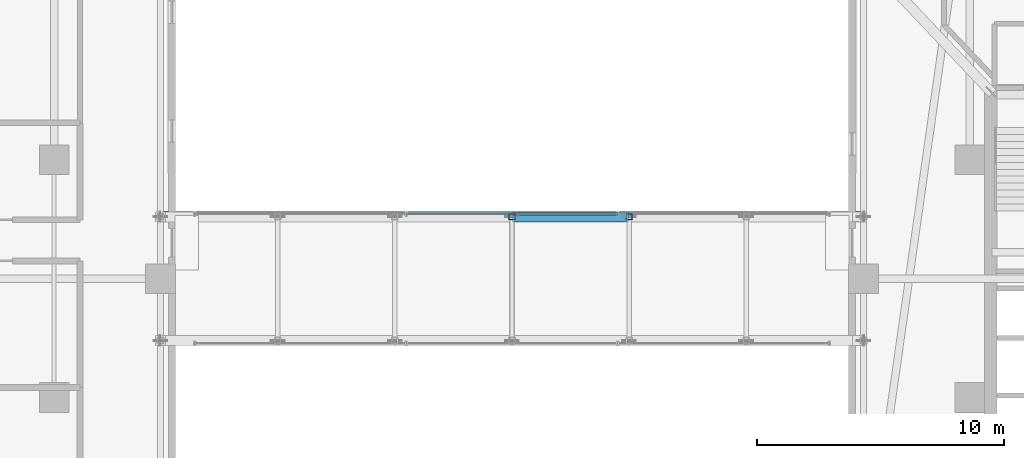
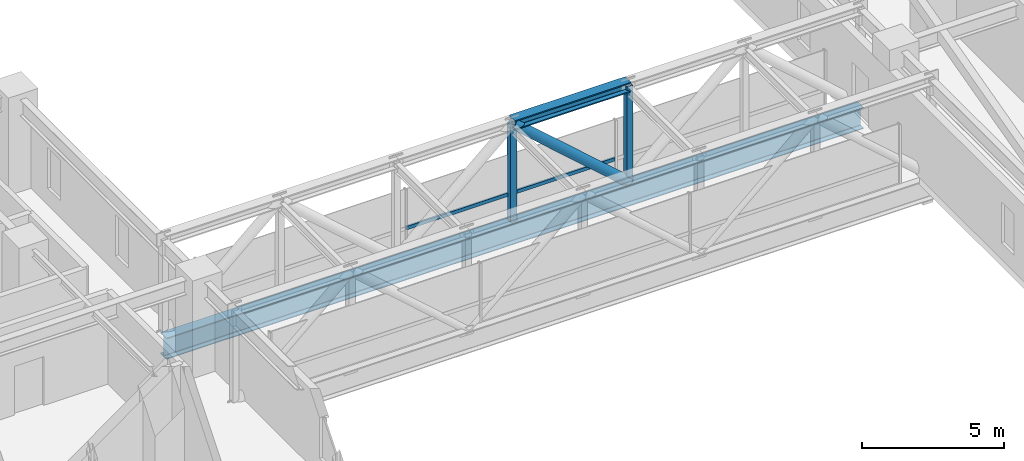
# One storey, part 11 of 45: 5 members, 1 beam, 1 element without a shape of its own.
"""IFC4 building model written with IfcOpenShell, lengths in metres."""

from ifc_helpers import new_model, si_unit, direction, frame, origin, origin_2d, place, context, subcontext, project, spatial, hollow_rectangle, hollow_circle, i_section, extrude, material, material_profile, profile_set, type_object, element, aggregate, save


model = new_model("IFC4")

# Units and contexts
model_context = context("Model", 3, precision=1e-05, world=origin(), true_north=direction((0.0, 1.0)))
body_context = subcontext(model_context, "Body", "Model", "MODEL_VIEW")
ifc_project = project(units=[si_unit("LENGTHUNIT", "METRE"), si_unit("AREAUNIT", "SQUARE_METRE"), si_unit("VOLUMEUNIT", "CUBIC_METRE"), si_unit("PLANEANGLEUNIT", "RADIAN"), si_unit("MASSUNIT", "GRAM", prefix="KILO")], contexts=[model_context])

# Site, building, storey
site_placement = place(None, origin())
site = spatial("IfcSite", under=ifc_project, at=site_placement, CompositionType="ELEMENT")
building_placement = place(site_placement, origin())
building = spatial("IfcBuilding", under=site, at=building_placement, Name="Thornwick Lancets Civic Towers", CompositionType="ELEMENT")
storey_placement = place(building_placement, frame((0.0, 0.0, 141.300048828125)))
storey = spatial("IfcBuildingStorey", under=building, at=storey_placement, Name="L37", CompositionType="ELEMENT", Elevation=141.300048828125)

# Beam
ifc_material_1 = material(Name="Steel S460M", Category="steel")
ifc_material_profile_1 = material_profile(ifc_material_1, i_section(OverallWidth=0.42041015625, OverallDepth=0.9208984375, WebThickness=0.021484375, FlangeThickness=0.03662109375, FilletRadius=0.024169921875, at=origin_2d()), Name="UKB 914x419x388")
ifc_profile_set_1 = profile_set([ifc_material_profile_1], Name="Steel S460M")
beam_type = type_object("IfcBeamType", Name="BM_TR_914_388", PredefinedType="BEAM", material=ifc_profile_set_1)
beam_placement = place(storey_placement, frame((42.800048828125, 29.5, -0.6806640625), z_axis=(1.0, 0.0, 0.0), x_axis=(0.0, 1.0, 0.0)))
element("IfcBeam", 1, at=beam_placement, inside=storey, type_object=beam_type, Name="BM-L37-SB-MAIN-2", PredefinedType="BEAM", context=body_context, shape_type="SweptSolid", body=[
    extrude(i_section(OverallWidth=0.42041015625, OverallDepth=0.9208984375, WebThickness=0.021484375, FlangeThickness=0.03662109375, FilletRadius=0.024169921875, at=origin_2d()), origin(), (0.0, 0.0, 1.0), 28.39990234375),
])

# Curtain wall, member
ifc_material_2 = material(Name="Skybridge acoustic laminated-glass curtain wall", Category="glass")
curtain_wall_type = type_object("IfcCurtainWallType", Name="CW_SYS_06", PredefinedType="NOTDEFINED", material=ifc_material_2)
curtain_wall_placement = place(storey_placement, origin())
curtain_wall = element("IfcCurtainWall", 2, at=curtain_wall_placement, inside=storey, type_object=curtain_wall_type, Name="L37 Curtain Wall CW-L37-SKYBRIDGE-N", PredefinedType="NOTDEFINED")
ifc_material_3 = material(Name="Thermally broken bronze aluminium S355", Category="steel")
ifc_material_profile_2 = material_profile(ifc_material_3, hollow_rectangle(XDim=0.074951171875, YDim=0.14990234375, WallThickness=0.0048828125, at=origin_2d()), Name="RHS 150x75x5")
ifc_profile_set_2 = profile_set([ifc_material_profile_2], Name="Thermally broken bronze aluminium S355")
member_type_1 = type_object("IfcMemberType", Name="CW_TRN_150", PredefinedType="USERDEFINED", material=ifc_profile_set_2)
member_1_placement = place(storey_placement, frame((61.25341796875, 29.6201171875, 0.849853515625), z_axis=(-1.0, 0.0, 0.0), x_axis=(0.0, -1.0, 0.0)))
member_1 = element("IfcMember", 3, at=member_1_placement, type_object=member_type_1, Name="CW-L37-SKYBRIDGE-N Transom 1", ObjectType="TRANSOM", PredefinedType="USERDEFINED", context=body_context, shape_type="SweptSolid", body=[
    extrude(hollow_rectangle(XDim=0.074951171875, YDim=0.14990234375, WallThickness=0.0048828125, at=origin_2d()), origin(), (0.0, 0.0, 1.0), 8.5068359375),
])
aggregate(curtain_wall, [member_1])

# Members
ifc_material_profile_3 = material_profile(ifc_material_1, i_section(OverallWidth=0.406982421875, OverallDepth=0.4189453125, WebThickness=0.030517578125, FlangeThickness=0.04931640625, FilletRadius=0.01513671875, at=origin_2d()), Name="UKC 356x406x393")
ifc_profile_set_3 = profile_set([ifc_material_profile_3], Name="Steel S460M")
member_type_2 = type_object("IfcMemberType", Name="MEM_BRG_CHORD_393", PredefinedType="CHORD", material=ifc_profile_set_3)
member_2_placement = place(storey_placement, frame((57.0, 29.5, 3.9599609375), z_axis=(1.0, 0.0, 0.0), x_axis=(0.0, 1.0, 0.0)))
element("IfcMember", 4, at=member_2_placement, inside=storey, type_object=member_type_2, Name="L37 Skybridge Top Chord 2-3", PredefinedType="CHORD", context=body_context, shape_type="SweptSolid", body=[
    extrude(i_section(OverallWidth=0.406982421875, OverallDepth=0.4189453125, WebThickness=0.030517578125, FlangeThickness=0.04931640625, FilletRadius=0.01513671875, at=origin_2d()), origin(), (0.0, 0.0, 1.0), 4.7333984375),
])
ifc_material_profile_4 = material_profile(ifc_material_1, hollow_circle(Radius=0.203125, WallThickness=0.02001953125, at=origin_2d()), Name="CHS 406.4x20")
ifc_profile_set_4 = profile_set([ifc_material_profile_4], Name="Steel S460M")
member_type_3 = type_object("IfcMemberType", Name="MEM_BRG_WEB_CHS406", PredefinedType="BRACE", material=ifc_profile_set_4)
member_3_placement = place(storey_placement, frame((57.0, 29.5, 3.9599609375), z_axis=(0.749570397513, 0.0, -0.661924632547), x_axis=(0.0, 1.0, 0.0)))
element("IfcMember", 5, at=member_3_placement, inside=storey, type_object=member_type_3, Name="L37 Skybridge Truss Diagonal 2-3", PredefinedType="BRACE", context=body_context, shape_type="SweptSolid", body=[
    extrude(hollow_circle(Radius=0.203125, WallThickness=0.02001953125, at=origin_2d()), origin(), (0.0, 0.0, 1.0), 6.314697265625),
])
ifc_material_profile_5 = material_profile(ifc_material_1, hollow_rectangle(XDim=0.25, YDim=0.25, WallThickness=0.01611328125, at=origin_2d()), Name="SHS 250x250x16")
ifc_profile_set_5 = profile_set([ifc_material_profile_5], Name="Steel S460M")
member_type_4 = type_object("IfcMemberType", Name="MEM_BRG_WEB_SHS250", PredefinedType="BRACE", material=ifc_profile_set_5)
for number, where, z_axis, x_axis, name in (
    (6, (57.0, 29.5, -0.219970703125), (0.0, 0.0, 1.0), (1.0, 0.0, 0.0), "L37 Skybridge Truss Post 2-3"),
    (7, (61.7333984375, 29.5, -0.219970703125), (0.0, 0.0, 1.0), (1.0, 0.0, 0.0), "L37 Skybridge Truss Post 2-4"),
):
    element("IfcMember", number, at=place(storey_placement, frame(where, z_axis=z_axis, x_axis=x_axis)), inside=storey, type_object=member_type_4, Name=name, PredefinedType="BRACE", context=body_context, shape_type="SweptSolid", body=[
        extrude(hollow_rectangle(XDim=0.25, YDim=0.25, WallThickness=0.01611328125, at=origin_2d()), origin(), (0.0, 0.0, 1.0), 4.179931640625),
    ])

save(model, "model.ifc")
